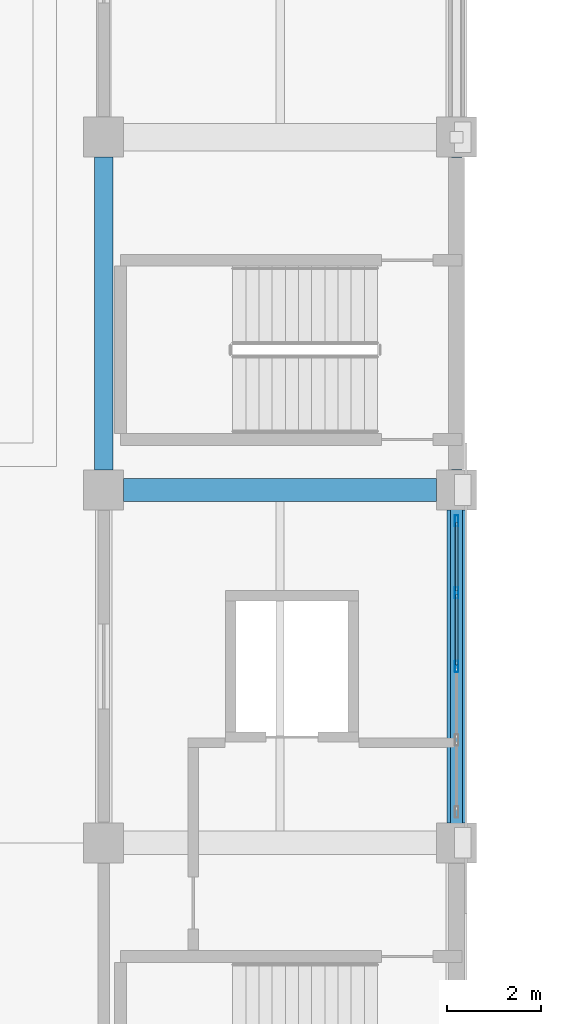
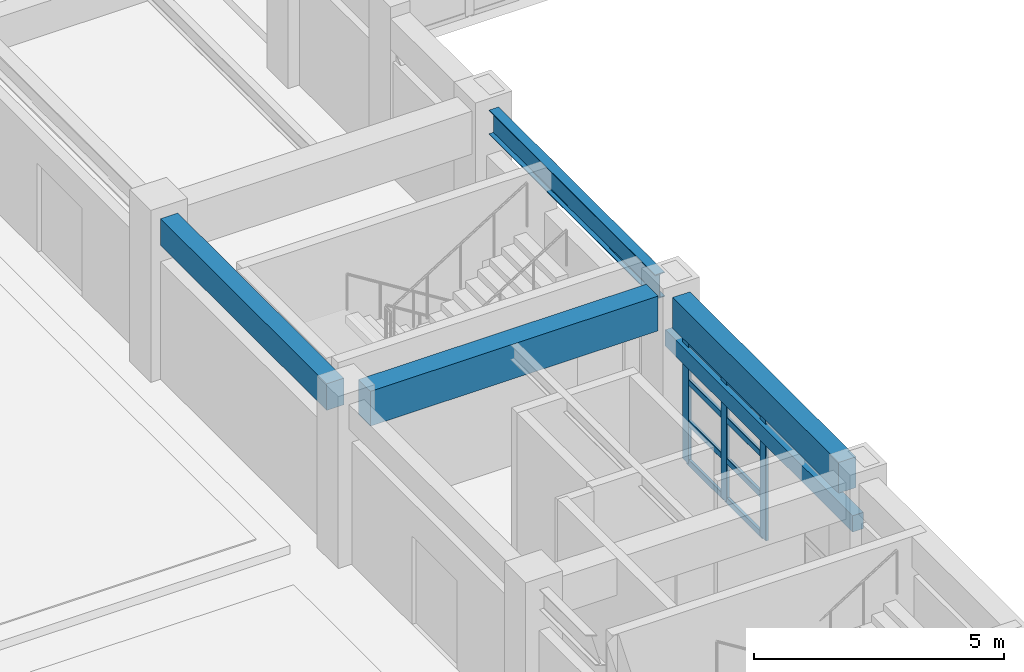
# One storey, part 43 of 132: 11 members, 5 beams, 1 element without a shape of its own.
"""IFC4 building model written with IfcOpenShell, lengths in metres."""

import ifcopenshell
import ifcopenshell.guid

model = None  # the IFC model being written
_history = None  # IfcOwnerHistory: only IFC2X3 demands one
_inside = {}  # id of a spatial element -> (the spatial element, [elements in it])
_under = {}  # id of a project, library or spatial element -> (it, [spatial elements below it])
_declared = {}  # id of a project -> (the project, [libraries it declares])
_typed = {}  # id of a type object -> (the type object, [elements of that type])
_made_of = {}  # id of a material, layer set ... -> (it, [elements and type objects made of it])


def new_model(schema):
    """Start an empty IFC model of exactly this schema.

    Asked for "IFC4X3", IfcOpenShell would pick the latest addendum, in which some entities
    have other attributes; the version numbers below select the first issue.
    IFC2X3 requires an IfcOwnerHistory on every rooted entity: one is made here for all.
    """
    global model, _history
    if schema == "IFC4X3":
        model = ifcopenshell.file(schema_version=(4, 3, 0, 0))
    else:
        model = ifcopenshell.file(schema=schema)
    _inside.clear()
    _under.clear()
    _declared.clear()
    _typed.clear()
    _made_of.clear()
    _history = None
    if model.schema == "IFC2X3":
        org = make("IfcOrganization", Name="unknown")
        user = make(
            "IfcPersonAndOrganization",
            ThePerson=make("IfcPerson", FamilyName="unknown"),
            TheOrganization=org,
        )
        app = make(
            "IfcApplication",
            ApplicationDeveloper=org,
            Version="unknown",
            ApplicationFullName="unknown",
            ApplicationIdentifier="unknown",
        )
        _history = make(
            "IfcOwnerHistory",
            OwningUser=user,
            OwningApplication=app,
            ChangeAction="ADDED",
            CreationDate=0,
        )
    return model


def make(cls, **values):
    """One entity of the class cls with the attributes given. An attribute that is None is left unset."""
    return model.create_entity(
        cls, **{name: value for name, value in values.items() if value is not None}
    )


def rooted(cls, **values):
    """An entity with a GlobalId (a new one), such as an element, a storey or a relation."""
    return make(cls, GlobalId=ifcopenshell.guid.new(), OwnerHistory=_history, **values)


def si_unit(unit_type, name, prefix=None):
    """IfcSIUnit, for example si_unit("LENGTHUNIT", "METRE", prefix="MILLI")."""
    return make("IfcSIUnit", UnitType=unit_type, Prefix=prefix, Name=name)


def assignment(units):
    """IfcUnitAssignment: the units of a project."""
    return None if units is None else make("IfcUnitAssignment", Units=units)


def point(xyz):
    """IfcCartesianPoint."""
    return None if xyz is None else make("IfcCartesianPoint", Coordinates=xyz)


def direction(xyz):
    """IfcDirection."""
    return None if xyz is None else make("IfcDirection", DirectionRatios=xyz)


def frame(location, z_axis=None, x_axis=None):
    """IfcAxis2Placement3D, a coordinate frame: its origin and axes. An axis left out is left unset."""
    return make(
        "IfcAxis2Placement3D",
        Location=point(location),
        Axis=direction(z_axis),
        RefDirection=direction(x_axis),
    )


def frame_2d(location, x_axis=None):
    """IfcAxis2Placement2D, a coordinate frame in the plane: its origin and x axis."""
    return make(
        "IfcAxis2Placement2D", Location=point(location), RefDirection=direction(x_axis)
    )


def origin():
    """The frame at (0, 0, 0) with its axes left unset."""
    return frame((0.0, 0.0, 0.0))


def origin_2d():
    """The frame at (0, 0) in the plane with its x axis left unset."""
    return frame_2d((0.0, 0.0))


def place(relative_to, where):
    """IfcLocalPlacement: puts the frame where relative to a parent placement (None: the world)."""
    return make(
        "IfcLocalPlacement", PlacementRelTo=relative_to, RelativePlacement=where
    )


def context(
    kind, dimensions, precision=None, world=None, true_north=None, identifier=None
):
    """IfcGeometricRepresentationContext, for example the 3D "Model" context."""
    return make(
        "IfcGeometricRepresentationContext",
        ContextIdentifier=identifier,
        ContextType=kind,
        CoordinateSpaceDimension=dimensions,
        Precision=precision,
        WorldCoordinateSystem=world,
        TrueNorth=true_north,
    )


def subcontext(parent, identifier, kind, view, scale=None):
    """IfcGeometricRepresentationSubContext, for example "Body" below "Model"."""
    return make(
        "IfcGeometricRepresentationSubContext",
        ContextIdentifier=identifier,
        ContextType=kind,
        ParentContext=parent,
        TargetScale=scale,
        TargetView=view,
    )


def project(units=None, contexts=None):
    """IfcProject with its units and contexts."""
    return rooted(
        "IfcProject",
        Name="project",
        RepresentationContexts=contexts,
        UnitsInContext=assignment(units),
    )


def spatial(cls, under=None, at=None, **own):
    """A site, building, storey or space (cls), placed at a placement, below another one or the project."""
    s = rooted(cls, ObjectPlacement=at, **own)
    if under is not None:
        _under.setdefault(under.id(), (under, []))[1].append(s)
    return s


def profile(cls, at=None, kind="AREA", **sizes):
    """A parametric profile (cls). Its sizes go by their IFC names, for example OverallWidth=200.0."""
    return make(cls, ProfileType=kind, Position=at, **sizes)


def rectangle(**sizes):
    """IfcRectangleProfileDef."""
    return profile("IfcRectangleProfileDef", **sizes)


def hollow_rectangle(**sizes):
    """IfcRectangleHollowProfileDef."""
    return profile("IfcRectangleHollowProfileDef", **sizes)


def i_section(**sizes):
    """IfcIShapeProfileDef."""
    return profile("IfcIShapeProfileDef", **sizes)


def extrude(swept, where, along, depth):
    """IfcExtrudedAreaSolid: the profile swept, set in the frame where, extruded along a direction by depth."""
    return make(
        "IfcExtrudedAreaSolid",
        SweptArea=swept,
        Position=where,
        ExtrudedDirection=direction(along),
        Depth=depth,
    )


def shape(context_of_items, identifier, shape_type, items):
    """IfcShapeRepresentation: the items that make up one representation, for example the "Body"."""
    return make(
        "IfcShapeRepresentation",
        ContextOfItems=context_of_items,
        RepresentationIdentifier=identifier,
        RepresentationType=shape_type,
        Items=items,
    )


def material(Name=None, Category=None):
    """IfcMaterial."""
    return make("IfcMaterial", Name=Name, Category=Category)


def material_profile(
    of_material, cross_section, Name=None, Category=None, Priority=None
):
    """IfcMaterialProfile: a cross section and its material."""
    return make(
        "IfcMaterialProfile",
        Name=Name,
        Material=of_material,
        Profile=cross_section,
        Priority=Priority,
        Category=Category,
    )


def profile_set(profiles, Name=None, composite=None):
    """IfcMaterialProfileSet."""
    return make(
        "IfcMaterialProfileSet",
        Name=Name,
        MaterialProfiles=profiles,
        CompositeProfile=composite,
    )


def made_of(thing, what):
    """Note that an element or type object is made of a material, layer set ...; save() writes the relation."""
    if what is not None:
        _made_of.setdefault(what.id(), (what, []))[1].append(thing)
    return thing


def type_object(cls, material=None, **own):
    """A type object (cls), such as IfcWallType, which elements share."""
    return made_of(rooted(cls, **own), material)


def element(
    cls,
    number,
    at=None,
    inside=None,
    cuts=None,
    type_object=None,
    material=None,
    context=None,
    identifier="Body",
    shape_type=None,
    held_by="IfcProductDefinitionShape",
    body=None,
    shapes=None,
    **own,
):
    """One element of the class cls, such as IfcWall. Its Tag is "e" and its number.

    at: its placement. inside: the storey or other place that contains it. cuts: it is an
    opening in that element (IfcRelVoidsElement). A single representation is given by context,
    identifier, shape_type and body (its items); several are given by shapes. held_by: the class
    of the entity that holds the representations. save() writes the other relations.
    """
    e = rooted(cls, Tag="e%d" % number, ObjectPlacement=at, **own)
    if body is not None:
        shapes = [shape(context, identifier, shape_type, body)]
    if shapes is not None:
        e.Representation = make(held_by, Representations=shapes)
    if inside is not None:
        _inside.setdefault(inside.id(), (inside, []))[1].append(e)
    if cuts is not None:
        rooted(
            "IfcRelVoidsElement", RelatingBuildingElement=cuts, RelatedOpeningElement=e
        )
    if type_object is not None:
        _typed.setdefault(type_object.id(), (type_object, []))[1].append(e)
    return made_of(e, material)


def aggregate(whole, parts):
    """IfcRelAggregates: a whole, such as a stair, and the parts it consists of."""
    return rooted("IfcRelAggregates", RelatingObject=whole, RelatedObjects=parts)


def save(model, path):
    """Write the relations noted so far, then the file.

    IfcRelAggregates (storeys below a building ...), IfcRelContainedInSpatialStructure (elements
    in a storey), IfcRelDefinesByType, IfcRelAssociatesMaterial and IfcRelDeclares: one each for
    every whole, place, type object, material and project.
    """
    for whole, parts in _under.values():
        aggregate(whole, parts)
    for where, things in _inside.values():
        rooted(
            "IfcRelContainedInSpatialStructure",
            RelatedElements=things,
            RelatingStructure=where,
        )
    for kind, things in _typed.values():
        rooted("IfcRelDefinesByType", RelatedObjects=things, RelatingType=kind)
    for what, things in _made_of.values():
        rooted("IfcRelAssociatesMaterial", RelatedObjects=things, RelatingMaterial=what)
    for by, libraries in _declared.values():
        rooted("IfcRelDeclares", RelatingContext=by, RelatedDefinitions=libraries)
    model.write(path)


model = new_model("IFC4")

# Units and contexts
model_context = context("Model", 3, precision=1e-05, world=origin(), true_north=direction((0.0, 1.0)))
body_context = subcontext(model_context, "Body", "Model", "MODEL_VIEW")
ifc_project = project(units=[si_unit("LENGTHUNIT", "METRE"), si_unit("AREAUNIT", "SQUARE_METRE"), si_unit("VOLUMEUNIT", "CUBIC_METRE"), si_unit("PLANEANGLEUNIT", "RADIAN"), si_unit("MASSUNIT", "GRAM", prefix="KILO")], contexts=[model_context])

# Site, building, storey
site_placement = place(None, origin())
site = spatial("IfcSite", under=ifc_project, at=site_placement, CompositionType="ELEMENT")
building_placement = place(site_placement, origin())
building = spatial("IfcBuilding", under=site, at=building_placement, Name="Qasida Concert Hall", CompositionType="ELEMENT")
storey_placement = place(building_placement, frame((0.0, 0.0, 4.800048828125)))
storey = spatial("IfcBuildingStorey", under=building, at=storey_placement, Name="L01", CompositionType="ELEMENT", Elevation=4.800048828125)

# Beams
ifc_material_1 = material(Name="Concrete C40/50", Category="concrete")
ifc_material_profile_1 = material_profile(ifc_material_1, rectangle(XDim=0.39990234375, YDim=0.64990234375, at=origin_2d()), Name="RC 400x650")
ifc_profile_set_1 = profile_set([ifc_material_profile_1], Name="Concrete C40/50")
beam_type_1 = type_object("IfcBeamType", Name="BM-B1", PredefinedType="BEAM", material=ifc_profile_set_1)
beam_1_placement = place(storey_placement, frame((97.5, 60.425048828125, 3.594970703125), z_axis=(0.0, 1.0, 0.0), x_axis=(-1.0, 0.0, 0.0)))
element("IfcBeam", 1, at=beam_1_placement, inside=storey, type_object=beam_type_1, Name="L01 girder 0821", PredefinedType="BEAM", context=body_context, shape_type="SweptSolid", body=[
    extrude(rectangle(XDim=0.39990234375, YDim=0.64990234375, at=origin_2d()), origin(), (0.0, 0.0, 1.0), 6.64990234375),
])
ifc_material_profile_2 = material_profile(ifc_material_1, rectangle(XDim=0.47998046875, YDim=0.85009765625, at=origin_2d()), Name="RC 480x850")
ifc_profile_set_2 = profile_set([ifc_material_profile_2], Name="Concrete C40/50")
beam_type_2 = type_object("IfcBeamType", Name="BM-G6", PredefinedType="USERDEFINED", material=ifc_profile_set_2)
beam_2_placement = place(storey_placement, frame((97.925048828125, 60.0, 3.494873046875), z_axis=(1.0, 0.0, 0.0), x_axis=(0.0, 1.0, 0.0)))
element("IfcBeam", 2, at=beam_2_placement, inside=storey, type_object=beam_type_2, Name="Primary girder 0781", ObjectType="GIRDER", PredefinedType="USERDEFINED", context=body_context, shape_type="SweptSolid", body=[
    extrude(rectangle(XDim=0.47998046875, YDim=0.85009765625, at=origin_2d()), origin(), (0.0, 0.0, 1.0), 6.64990234375),
])
ifc_material_profile_3 = material_profile(ifc_material_1, rectangle(XDim=0.25, YDim=0.39990234375, at=origin_2d()), Name="RC 250x400")
ifc_profile_set_3 = profile_set([ifc_material_profile_3], Name="Concrete C40/50")
beam_type_3 = type_object("IfcBeamType", Name="BM-LN1", PredefinedType="LINTEL", material=ifc_profile_set_3)
beam_3_placement = place(storey_placement, frame((105.0, 52.5, 2.64990234375), z_axis=(0.0, 1.0, 0.0), x_axis=(-1.0, 0.0, 0.0)))
element("IfcBeam", 3, at=beam_3_placement, inside=storey, type_object=beam_type_3, Name="L01 portal lintel beam 007", PredefinedType="LINTEL", context=body_context, shape_type="SweptSolid", body=[
    extrude(rectangle(XDim=0.25, YDim=0.39990234375, at=origin_2d()), origin(), (0.0, 0.0, 1.0), 7.5),
])
ifc_material_profile_4 = material_profile(ifc_material_1, rectangle(XDim=0.39990234375, YDim=0.75, at=origin_2d()), Name="RC 400x750")
ifc_profile_set_4 = profile_set([ifc_material_profile_4], Name="Concrete C40/50")
beam_type_4 = type_object("IfcBeamType", Name="BM-SP1", PredefinedType="SPANDREL", material=ifc_profile_set_4)
beam_4_placement = place(storey_placement, frame((105.0, 52.925048828125, 3.544921875), z_axis=(0.0, 1.0, 0.0), x_axis=(-1.0, 0.0, 0.0)))
element("IfcBeam", 4, at=beam_4_placement, inside=storey, type_object=beam_type_4, Name="L01 girder 0826", PredefinedType="SPANDREL", context=body_context, shape_type="SweptSolid", body=[
    extrude(rectangle(XDim=0.39990234375, YDim=0.75, at=origin_2d()), origin(), (0.0, 0.0, 1.0), 6.64990234375),
])
ifc_material_2 = material(Name="Steel S355J2", Category="steel")
ifc_material_profile_5 = material_profile(ifc_material_2, i_section(OverallWidth=0.219970703125, OverallDepth=0.60009765625, WebThickness=0.011962890625, FlangeThickness=0.01904296875, FilletRadius=0.02392578125, at=origin_2d()), Name="IPE 600")
ifc_profile_set_5 = profile_set([ifc_material_profile_5], Name="Steel S355J2")
beam_type_5 = type_object("IfcBeamType", Name="BM-SP3", PredefinedType="SPANDREL", material=ifc_profile_set_5)
beam_5_placement = place(storey_placement, frame((105.0, 60.425048828125, 3.619873046875), z_axis=(0.0, 1.0, 0.0), x_axis=(-1.0, 0.0, 0.0)))
element("IfcBeam", 5, at=beam_5_placement, inside=storey, type_object=beam_type_5, Name="L01 girder 0827", PredefinedType="SPANDREL", context=body_context, shape_type="SweptSolid", body=[
    extrude(i_section(OverallWidth=0.219970703125, OverallDepth=0.60009765625, WebThickness=0.011962890625, FlangeThickness=0.01904296875, FilletRadius=0.02392578125, at=origin_2d()), origin(), (0.0, 0.0, 1.0), 6.64990234375),
])

# Curtain wall, members
ifc_material_3 = material(Name="Architectural bronze-anodized aluminium and low-E glass", Category="aluminium")
curtain_wall_type = type_object("IfcCurtainWallType", Name="CW-02", PredefinedType="NOTDEFINED", material=ifc_material_3)
curtain_wall_placement = place(storey_placement, origin())
curtain_wall = element("IfcCurtainWall", 6, at=curtain_wall_placement, inside=storey, type_object=curtain_wall_type, Name="L01 curtain wall CW-02 0045", PredefinedType="NOTDEFINED")
ifc_material_4 = material(Name="Architectural bronze-anodized aluminium EN AW-6063", Category="aluminium")
ifc_material_profile_6 = material_profile(ifc_material_4, hollow_rectangle(XDim=0.070068359375, YDim=0.239990234375, WallThickness=0.0048828125, InnerFilletRadius=0.0048828125, OuterFilletRadius=0.010009765625, at=origin_2d()), Name="CWM 240x70x5")
ifc_profile_set_6 = profile_set([ifc_material_profile_6], Name="Architectural bronze-anodized aluminium EN AW-6063")
member_type_1 = type_object("IfcMemberType", Name="MB-CWM-1", PredefinedType="MULLION", material=ifc_profile_set_6)
member_1_placement = place(storey_placement, frame((105.0, 56.25, 0.0), z_axis=(0.0, 0.0, 1.0), x_axis=(-1.0, 0.0, 0.0)))
member_1 = element("IfcMember", 7, at=member_1_placement, type_object=member_type_1, Name="CW-02 mullion 3", PredefinedType="MULLION", context=body_context, shape_type="SweptSolid", body=[
    extrude(hollow_rectangle(XDim=0.070068359375, YDim=0.239990234375, WallThickness=0.0048828125, InnerFilletRadius=0.0048828125, OuterFilletRadius=0.010009765625, at=origin_2d()), origin(), (0.0, 0.0, 1.0), 2.989990234375),
])
member_2_placement = place(storey_placement, frame((105.0, 57.81494140625, 0.0), z_axis=(0.0, 0.0, 1.0), x_axis=(-1.0, 0.0, 0.0)))
member_2 = element("IfcMember", 8, at=member_2_placement, type_object=member_type_1, Name="CW-02 mullion 4", PredefinedType="MULLION", context=body_context, shape_type="SweptSolid", body=[
    extrude(hollow_rectangle(XDim=0.070068359375, YDim=0.239990234375, WallThickness=0.0048828125, InnerFilletRadius=0.0048828125, OuterFilletRadius=0.010009765625, at=origin_2d()), origin(), (0.0, 0.0, 1.0), 2.989990234375),
])
member_3_placement = place(storey_placement, frame((105.0, 59.344970703125, 0.0), z_axis=(0.0, 0.0, 1.0), x_axis=(-1.0, 0.0, 0.0)))
member_3 = element("IfcMember", 9, at=member_3_placement, type_object=member_type_1, Name="CW-02 mullion 5", PredefinedType="MULLION", context=body_context, shape_type="SweptSolid", body=[
    extrude(hollow_rectangle(XDim=0.070068359375, YDim=0.239990234375, WallThickness=0.0048828125, InnerFilletRadius=0.0048828125, OuterFilletRadius=0.010009765625, at=origin_2d()), origin(), (0.0, 0.0, 1.0), 2.989990234375),
])
ifc_material_profile_7 = material_profile(ifc_material_4, hollow_rectangle(XDim=0.06494140625, YDim=0.14990234375, WallThickness=0.00390625, InnerFilletRadius=0.00390625, OuterFilletRadius=0.008056640625, at=origin_2d()), Name="CWT 150x65x4")
ifc_profile_set_7 = profile_set([ifc_material_profile_7], Name="Architectural bronze-anodized aluminium EN AW-6063")
member_type_2 = type_object("IfcMemberType", Name="MB-CWT-1", PredefinedType="USERDEFINED", material=ifc_profile_set_7)
member_4_placement = place(storey_placement, frame((105.0, 56.284912109375, 0.032470703125), z_axis=(0.0, 1.0, 0.0), x_axis=(-1.0, 0.0, 0.0)))
member_4 = element("IfcMember", 10, at=member_4_placement, type_object=member_type_2, Name="CW-02 transom 3.1", ObjectType="TRANSOM", PredefinedType="USERDEFINED", context=body_context, shape_type="SweptSolid", body=[
    extrude(hollow_rectangle(XDim=0.06494140625, YDim=0.14990234375, WallThickness=0.00390625, InnerFilletRadius=0.00390625, OuterFilletRadius=0.008056640625, at=origin_2d()), origin(), (0.0, 0.0, 1.0), 1.4951171875),
])
member_5_placement = place(storey_placement, frame((105.0, 56.284912109375, 0.99658203125), z_axis=(0.0, 1.0, 0.0), x_axis=(-1.0, 0.0, 0.0)))
member_5 = element("IfcMember", 11, at=member_5_placement, type_object=member_type_2, Name="CW-02 transom 3.2", ObjectType="TRANSOM", PredefinedType="USERDEFINED", context=body_context, shape_type="SweptSolid", body=[
    extrude(hollow_rectangle(XDim=0.06494140625, YDim=0.14990234375, WallThickness=0.00390625, InnerFilletRadius=0.00390625, OuterFilletRadius=0.008056640625, at=origin_2d()), origin(), (0.0, 0.0, 1.0), 1.4951171875),
])
member_6_placement = place(storey_placement, frame((105.0, 56.284912109375, 1.9931640625), z_axis=(0.0, 1.0, 0.0), x_axis=(-1.0, 0.0, 0.0)))
member_6 = element("IfcMember", 12, at=member_6_placement, type_object=member_type_2, Name="CW-02 transom 3.3", ObjectType="TRANSOM", PredefinedType="USERDEFINED", context=body_context, shape_type="SweptSolid", body=[
    extrude(hollow_rectangle(XDim=0.06494140625, YDim=0.14990234375, WallThickness=0.00390625, InnerFilletRadius=0.00390625, OuterFilletRadius=0.008056640625, at=origin_2d()), origin(), (0.0, 0.0, 1.0), 1.4951171875),
])
member_7_placement = place(storey_placement, frame((105.0, 56.284912109375, 2.95751953125), z_axis=(0.0, 1.0, 0.0), x_axis=(-1.0, 0.0, 0.0)))
member_7 = element("IfcMember", 13, at=member_7_placement, type_object=member_type_2, Name="CW-02 transom 3.4", ObjectType="TRANSOM", PredefinedType="USERDEFINED", context=body_context, shape_type="SweptSolid", body=[
    extrude(hollow_rectangle(XDim=0.06494140625, YDim=0.14990234375, WallThickness=0.00390625, InnerFilletRadius=0.00390625, OuterFilletRadius=0.008056640625, at=origin_2d()), origin(), (0.0, 0.0, 1.0), 1.4951171875),
])
member_8_placement = place(storey_placement, frame((105.0, 57.85009765625, 0.032470703125), z_axis=(0.0, 1.0, 0.0), x_axis=(-1.0, 0.0, 0.0)))
member_8 = element("IfcMember", 14, at=member_8_placement, type_object=member_type_2, Name="CW-02 transom 4.1", ObjectType="TRANSOM", PredefinedType="USERDEFINED", context=body_context, shape_type="SweptSolid", body=[
    extrude(hollow_rectangle(XDim=0.06494140625, YDim=0.14990234375, WallThickness=0.00390625, InnerFilletRadius=0.00390625, OuterFilletRadius=0.008056640625, at=origin_2d()), origin(), (0.0, 0.0, 1.0), 1.4599609375),
])
member_9_placement = place(storey_placement, frame((105.0, 57.85009765625, 0.99658203125), z_axis=(0.0, 1.0, 0.0), x_axis=(-1.0, 0.0, 0.0)))
member_9 = element("IfcMember", 15, at=member_9_placement, type_object=member_type_2, Name="CW-02 transom 4.2", ObjectType="TRANSOM", PredefinedType="USERDEFINED", context=body_context, shape_type="SweptSolid", body=[
    extrude(hollow_rectangle(XDim=0.06494140625, YDim=0.14990234375, WallThickness=0.00390625, InnerFilletRadius=0.00390625, OuterFilletRadius=0.008056640625, at=origin_2d()), origin(), (0.0, 0.0, 1.0), 1.4599609375),
])
member_10_placement = place(storey_placement, frame((105.0, 57.85009765625, 1.9931640625), z_axis=(0.0, 1.0, 0.0), x_axis=(-1.0, 0.0, 0.0)))
member_10 = element("IfcMember", 16, at=member_10_placement, type_object=member_type_2, Name="CW-02 transom 4.3", ObjectType="TRANSOM", PredefinedType="USERDEFINED", context=body_context, shape_type="SweptSolid", body=[
    extrude(hollow_rectangle(XDim=0.06494140625, YDim=0.14990234375, WallThickness=0.00390625, InnerFilletRadius=0.00390625, OuterFilletRadius=0.008056640625, at=origin_2d()), origin(), (0.0, 0.0, 1.0), 1.4599609375),
])
member_11_placement = place(storey_placement, frame((105.0, 57.85009765625, 2.95751953125), z_axis=(0.0, 1.0, 0.0), x_axis=(-1.0, 0.0, 0.0)))
member_11 = element("IfcMember", 17, at=member_11_placement, type_object=member_type_2, Name="CW-02 transom 4.4", ObjectType="TRANSOM", PredefinedType="USERDEFINED", context=body_context, shape_type="SweptSolid", body=[
    extrude(hollow_rectangle(XDim=0.06494140625, YDim=0.14990234375, WallThickness=0.00390625, InnerFilletRadius=0.00390625, OuterFilletRadius=0.008056640625, at=origin_2d()), origin(), (0.0, 0.0, 1.0), 1.4599609375),
])
aggregate(curtain_wall, [member_1, member_2, member_3, member_4, member_5, member_6, member_7, member_8, member_9, member_10, member_11])

save(model, "model.ifc")
